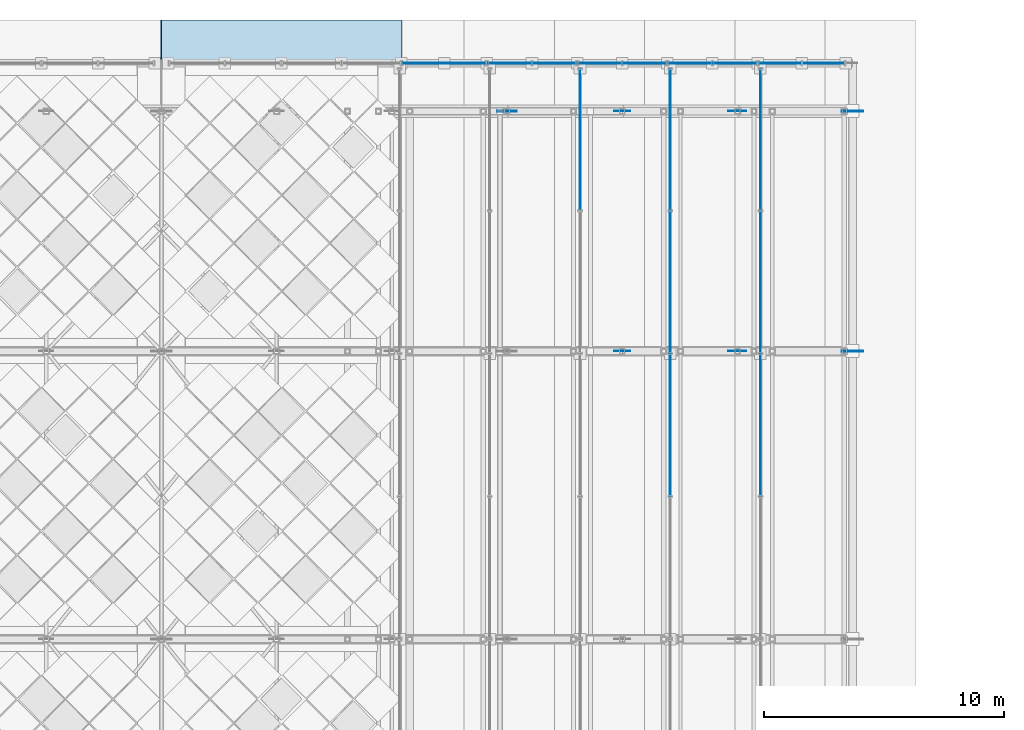
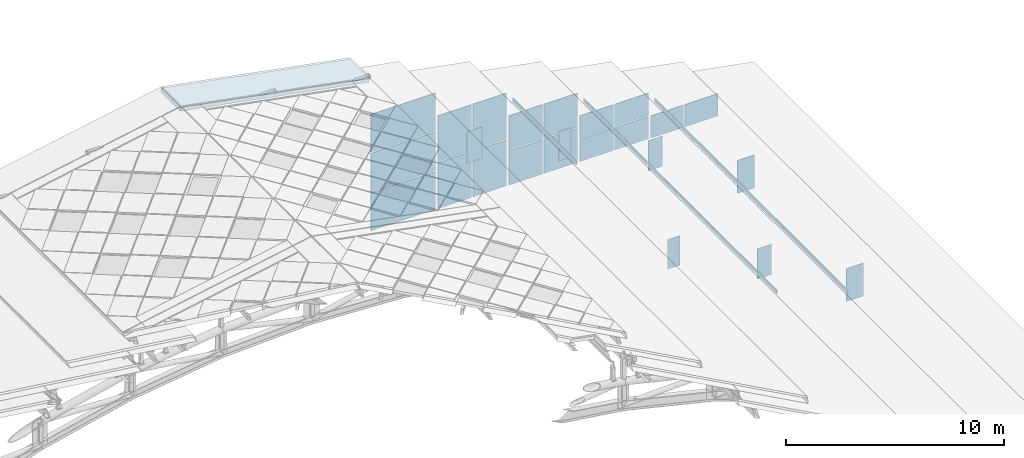
# One storey, part 99 of 117: 31 plates, 1 slab, 8 elements without a shape of their own.
"""IFC4 building model written with IfcOpenShell, lengths in metres."""

from ifc_helpers import new_model, si_unit, direction, frame, origin, origin_2d, place, context, subcontext, project, spatial, polyline, rectangle, outline, extrude, material, layer, layer_set, type_object, element, aggregate, save


model = new_model("IFC4")

# Units and contexts
model_context = context("Model", 3, precision=1e-05, world=origin(), true_north=direction((0.0, 1.0)))
body_context = subcontext(model_context, "Body", "Model", "MODEL_VIEW")
ifc_project = project(units=[si_unit("LENGTHUNIT", "METRE"), si_unit("AREAUNIT", "SQUARE_METRE"), si_unit("VOLUMEUNIT", "CUBIC_METRE"), si_unit("PLANEANGLEUNIT", "RADIAN"), si_unit("MASSUNIT", "GRAM", prefix="KILO")], contexts=[model_context])

# Site, building, storey
site_placement = place(None, origin())
site = spatial("IfcSite", under=ifc_project, at=site_placement, CompositionType="ELEMENT")
building_placement = place(site_placement, origin())
building = spatial("IfcBuilding", under=site, at=building_placement, Name="Merenkruunu Market Hall", CompositionType="ELEMENT")
storey_placement = place(building_placement, frame((0.0, 0.0, 22.800048828125)))
storey = spatial("IfcBuildingStorey", under=building, at=storey_placement, Name="RF", CompositionType="ELEMENT", Elevation=22.800048828125)

# Curtain wall, plates
ifc_material_1 = material(Name="Powder-coated aluminium", Category="aluminium")
curtain_wall_type_1 = type_object("IfcCurtainWallType", Name="Glazed Curtain Wall CW18", PredefinedType="USERDEFINED", material=ifc_material_1)
curtain_wall_1_placement = place(storey_placement, origin())
curtain_wall_1 = element("IfcCurtainWall", 1, at=curtain_wall_1_placement, inside=storey, type_object=curtain_wall_type_1, Name="CW-RF-CWM03-076", ObjectType="GLAZED_FACADE", PredefinedType="USERDEFINED")
ifc_material_2 = material(Name="Triple low-E insulated glass", Category="glass")
ifc_layer_1 = layer(ifc_material_2, 0.035888671875)
ifc_layer_set_1 = layer_set([ifc_layer_1], Name="Triple low-E insulated glass")
plate_type_1 = type_object("IfcPlateType", Name="Curtain Wall Glazing Panel CWP05", PredefinedType="CURTAIN_PANEL", material=ifc_layer_set_1)
plate_1_placement = place(storey_placement, frame((40.580078125, 111.60009765625, -8.630126953125), z_axis=(0.0, 0.0, 1.0), x_axis=(1.0, 0.0, 0.0)))
plate_1 = element("IfcPlate", 2, at=plate_1_placement, type_object=plate_type_1, Name="CW18 panel 1.1", PredefinedType="CURTAIN_PANEL", context=body_context, shape_type="SweptSolid", body=[
    extrude(rectangle(XDim=3.43994140625, YDim=0.035888671875, at=origin_2d()), origin(), (0.0, 0.0, 1.0), 2.126953125),
])
plate_2_placement = place(storey_placement, frame((40.580078125, 111.60009765625, -6.44287109375), z_axis=(0.0, 0.0, 1.0), x_axis=(1.0, 0.0, 0.0)))
plate_2 = element("IfcPlate", 3, at=plate_2_placement, type_object=plate_type_1, Name="CW18 panel 1.2", PredefinedType="CURTAIN_PANEL", context=body_context, shape_type="SweptSolid", body=[
    extrude(rectangle(XDim=3.43994140625, YDim=0.035888671875, at=origin_2d()), origin(), (0.0, 0.0, 1.0), 2.156005859375),
])
plate_3_placement = place(storey_placement, frame((40.580078125, 111.60009765625, -4.22705078125), z_axis=(0.0, 0.0, 1.0), x_axis=(1.0, 0.0, 0.0)))
plate_3 = element("IfcPlate", 4, at=plate_3_placement, type_object=plate_type_1, Name="CW18 panel 1.3", PredefinedType="CURTAIN_PANEL", context=body_context, shape_type="SweptSolid", body=[
    extrude(rectangle(XDim=3.43994140625, YDim=0.035888671875, at=origin_2d()), origin(), (0.0, 0.0, 1.0), 2.126953125),
])
aggregate(curtain_wall_1, [plate_1, plate_2, plate_3])

curtain_wall_type_2 = type_object("IfcCurtainWallType", Name="Glazed Curtain Wall CW17", PredefinedType="USERDEFINED", material=ifc_material_1)
curtain_wall_2_placement = place(storey_placement, origin())
curtain_wall_2 = element("IfcCurtainWall", 5, at=curtain_wall_2_placement, inside=storey, type_object=curtain_wall_type_2, Name="CW-RF-CWM03-077", ObjectType="GLAZED_FACADE", PredefinedType="USERDEFINED")
plate_4_placement = place(storey_placement, frame((43.31494140625, 111.60009765625, -8.6298828125), z_axis=(0.0, 0.0, 1.0), x_axis=(1.0, 0.0, 0.0)))
plate_4 = element("IfcPlate", 6, at=plate_4_placement, type_object=plate_type_1, Name="CW17 panel 1.1", PredefinedType="CURTAIN_PANEL", context=body_context, shape_type="SweptSolid", body=[
    extrude(rectangle(XDim=1.7900390625, YDim=0.035888671875, at=origin_2d()), origin(), (0.0, 0.0, 1.0), 2.574951171875),
])
plate_5_placement = place(storey_placement, frame((43.31494140625, 111.60009765625, -5.9951171875), z_axis=(0.0, 0.0, 1.0), x_axis=(1.0, 0.0, 0.0)))
plate_5 = element("IfcPlate", 7, at=plate_5_placement, type_object=plate_type_1, Name="CW17 panel 1.2", PredefinedType="CURTAIN_PANEL", context=body_context, shape_type="SweptSolid", body=[
    extrude(rectangle(XDim=1.7900390625, YDim=0.035888671875, at=origin_2d()), origin(), (0.0, 0.0, 1.0), 2.574951171875),
])
plate_6_placement = place(storey_placement, frame((45.1650390625, 111.60009765625, -8.6298828125), z_axis=(0.0, 0.0, 1.0), x_axis=(1.0, 0.0, 0.0)))
plate_6 = element("IfcPlate", 8, at=plate_6_placement, type_object=plate_type_1, Name="CW17 panel 2.1", PredefinedType="CURTAIN_PANEL", context=body_context, shape_type="SweptSolid", body=[
    extrude(rectangle(XDim=1.7900390625, YDim=0.035888671875, at=origin_2d()), origin(), (0.0, 0.0, 1.0), 2.574951171875),
])
plate_7_placement = place(storey_placement, frame((45.1650390625, 111.60009765625, -5.9951171875), z_axis=(0.0, 0.0, 1.0), x_axis=(1.0, 0.0, 0.0)))
plate_7 = element("IfcPlate", 9, at=plate_7_placement, type_object=plate_type_1, Name="CW17 panel 2.2", PredefinedType="CURTAIN_PANEL", context=body_context, shape_type="SweptSolid", body=[
    extrude(rectangle(XDim=1.7900390625, YDim=0.035888671875, at=origin_2d()), origin(), (0.0, 0.0, 1.0), 2.574951171875),
])
aggregate(curtain_wall_2, [plate_4, plate_5, plate_6, plate_7])

curtain_wall_3_placement = place(storey_placement, origin())
curtain_wall_3 = element("IfcCurtainWall", 10, at=curtain_wall_3_placement, inside=storey, type_object=curtain_wall_type_2, Name="CW-RF-CWM03-078", ObjectType="GLAZED_FACADE", PredefinedType="USERDEFINED")
plate_8_placement = place(storey_placement, frame((47.074951171875, 111.60009765625, -8.630126953125), z_axis=(0.0, 0.0, 1.0), x_axis=(1.0, 0.0, 0.0)))
plate_8 = element("IfcPlate", 11, at=plate_8_placement, type_object=plate_type_1, Name="CW17 panel 1.1", PredefinedType="CURTAIN_PANEL", context=body_context, shape_type="SweptSolid", body=[
    extrude(rectangle(XDim=1.7900390625, YDim=0.035888671875, at=origin_2d()), origin(), (0.0, 0.0, 1.0), 1.9150390625),
])
plate_9_placement = place(storey_placement, frame((47.074951171875, 111.60009765625, -6.655029296875), z_axis=(0.0, 0.0, 1.0), x_axis=(1.0, 0.0, 0.0)))
plate_9 = element("IfcPlate", 12, at=plate_9_placement, type_object=plate_type_1, Name="CW17 panel 1.2", PredefinedType="CURTAIN_PANEL", context=body_context, shape_type="SweptSolid", body=[
    extrude(rectangle(XDim=1.7900390625, YDim=0.035888671875, at=origin_2d()), origin(), (0.0, 0.0, 1.0), 1.9150390625),
])
plate_10_placement = place(storey_placement, frame((48.925048828125, 111.60009765625, -8.630126953125), z_axis=(0.0, 0.0, 1.0), x_axis=(1.0, 0.0, 0.0)))
plate_10 = element("IfcPlate", 13, at=plate_10_placement, type_object=plate_type_1, Name="CW17 panel 2.1", PredefinedType="CURTAIN_PANEL", context=body_context, shape_type="SweptSolid", body=[
    extrude(rectangle(XDim=1.7900390625, YDim=0.035888671875, at=origin_2d()), origin(), (0.0, 0.0, 1.0), 1.9150390625),
])
plate_11_placement = place(storey_placement, frame((48.925048828125, 111.60009765625, -6.655029296875), z_axis=(0.0, 0.0, 1.0), x_axis=(1.0, 0.0, 0.0)))
plate_11 = element("IfcPlate", 14, at=plate_11_placement, type_object=plate_type_1, Name="CW17 panel 2.2", PredefinedType="CURTAIN_PANEL", context=body_context, shape_type="SweptSolid", body=[
    extrude(rectangle(XDim=1.7900390625, YDim=0.035888671875, at=origin_2d()), origin(), (0.0, 0.0, 1.0), 1.9150390625),
])
aggregate(curtain_wall_3, [plate_8, plate_9, plate_10, plate_11])

curtain_wall_4_placement = place(storey_placement, origin())
curtain_wall_4 = element("IfcCurtainWall", 15, at=curtain_wall_4_placement, inside=storey, type_object=curtain_wall_type_2, Name="CW-RF-CWM03-079", ObjectType="GLAZED_FACADE", PredefinedType="USERDEFINED")
plate_12_placement = place(storey_placement, frame((50.8349609375, 111.60009765625, -8.6298828125), z_axis=(0.0, 0.0, 1.0), x_axis=(1.0, 0.0, 0.0)))
plate_12 = element("IfcPlate", 16, at=plate_12_placement, type_object=plate_type_1, Name="CW17 panel 1.1", PredefinedType="CURTAIN_PANEL", context=body_context, shape_type="SweptSolid", body=[
    extrude(rectangle(XDim=1.7900390625, YDim=0.035888671875, at=origin_2d()), origin(), (0.0, 0.0, 1.0), 1.2548828125),
])
plate_13_placement = place(storey_placement, frame((50.8349609375, 111.60009765625, -7.31494140625), z_axis=(0.0, 0.0, 1.0), x_axis=(1.0, 0.0, 0.0)))
plate_13 = element("IfcPlate", 17, at=plate_13_placement, type_object=plate_type_1, Name="CW17 panel 1.2", PredefinedType="CURTAIN_PANEL", context=body_context, shape_type="SweptSolid", body=[
    extrude(rectangle(XDim=1.7900390625, YDim=0.035888671875, at=origin_2d()), origin(), (0.0, 0.0, 1.0), 1.2548828125),
])
plate_14_placement = place(storey_placement, frame((52.68505859375, 111.60009765625, -8.6298828125), z_axis=(0.0, 0.0, 1.0), x_axis=(1.0, 0.0, 0.0)))
plate_14 = element("IfcPlate", 18, at=plate_14_placement, type_object=plate_type_1, Name="CW17 panel 2.1", PredefinedType="CURTAIN_PANEL", context=body_context, shape_type="SweptSolid", body=[
    extrude(rectangle(XDim=1.7900390625, YDim=0.035888671875, at=origin_2d()), origin(), (0.0, 0.0, 1.0), 1.2548828125),
])
plate_15_placement = place(storey_placement, frame((52.68505859375, 111.60009765625, -7.31494140625), z_axis=(0.0, 0.0, 1.0), x_axis=(1.0, 0.0, 0.0)))
plate_15 = element("IfcPlate", 19, at=plate_15_placement, type_object=plate_type_1, Name="CW17 panel 2.2", PredefinedType="CURTAIN_PANEL", context=body_context, shape_type="SweptSolid", body=[
    extrude(rectangle(XDim=1.7900390625, YDim=0.035888671875, at=origin_2d()), origin(), (0.0, 0.0, 1.0), 1.2548828125),
])
aggregate(curtain_wall_4, [plate_12, plate_13, plate_14, plate_15])

curtain_wall_type_3 = type_object("IfcCurtainWallType", Name="Clerestory Curtain Band CL03", PredefinedType="USERDEFINED", material=ifc_material_1)
curtain_wall_5_placement = place(storey_placement, origin())
curtain_wall_5 = element("IfcCurtainWall", 20, at=curtain_wall_5_placement, inside=storey, type_object=curtain_wall_type_3, Name="CW-RF-CWM03-080", ObjectType="CLERESTORY_BAND", PredefinedType="USERDEFINED")
plate_16_placement = place(storey_placement, frame((54.574951171875, 111.60009765625, -8.630126953125), z_axis=(0.0, 0.0, 1.0), x_axis=(1.0, 0.0, 0.0)))
plate_16 = element("IfcPlate", 21, at=plate_16_placement, type_object=plate_type_1, Name="CL03 panel 1.1", PredefinedType="CURTAIN_PANEL", context=body_context, shape_type="SweptSolid", body=[
    extrude(rectangle(XDim=1.75, YDim=0.035888671875, at=origin_2d()), origin(), (0.0, 0.0, 1.0), 1.25),
])
plate_17_placement = place(storey_placement, frame((56.385009765625, 111.60009765625, -8.630126953125), z_axis=(0.0, 0.0, 1.0), x_axis=(1.0, 0.0, 0.0)))
plate_17 = element("IfcPlate", 22, at=plate_17_placement, type_object=plate_type_1, Name="CL03 panel 2.1", PredefinedType="CURTAIN_PANEL", context=body_context, shape_type="SweptSolid", body=[
    extrude(rectangle(XDim=1.75, YDim=0.035888671875, at=origin_2d()), origin(), (0.0, 0.0, 1.0), 1.25),
])
aggregate(curtain_wall_5, [plate_16, plate_17])

curtain_wall_type_4 = type_object("IfcCurtainWallType", Name="Clerestory Curtain Band CL05", PredefinedType="USERDEFINED", material=ifc_material_1)
curtain_wall_6_placement = place(storey_placement, origin())
curtain_wall_6 = element("IfcCurtainWall", 23, at=curtain_wall_6_placement, inside=storey, type_object=curtain_wall_type_4, Name="CW-RF-CWM04-088", ObjectType="CLERESTORY_BAND", PredefinedType="USERDEFINED")
ifc_layer_2 = layer(ifc_material_2, 0.035888671875)
ifc_layer_set_2 = layer_set([ifc_layer_2], Name="Triple low-E insulated glass")
plate_type_2 = type_object("IfcPlateType", Name="Curtain Wall Glazing Panel CWP08", PredefinedType="CURTAIN_PANEL", material=ifc_layer_set_2)
plate_18_placement = place(storey_placement, frame((53.760009765625, 108.407470703125, -6.462158203125), z_axis=(0.0, 0.0, 1.0), x_axis=(0.0, -1.0, 0.0)))
plate_18 = element("IfcPlate", 24, at=plate_18_placement, type_object=plate_type_2, Name="CL05 panel 1.1", PredefinedType="CURTAIN_PANEL", context=body_context, shape_type="SweptSolid", body=[
    extrude(rectangle(XDim=5.844970703125, YDim=0.035888671875, at=origin_2d()), origin(), (0.0, 0.0, 1.0), 0.22802734375),
])
plate_19_placement = place(storey_placement, frame((53.760009765625, 102.47509765625, -6.462158203125), z_axis=(0.0, 0.0, 1.0), x_axis=(0.0, -1.0, 0.0)))
plate_19 = element("IfcPlate", 25, at=plate_19_placement, type_object=plate_type_2, Name="CL05 panel 2.1", PredefinedType="CURTAIN_PANEL", context=body_context, shape_type="SweptSolid", body=[
    extrude(rectangle(XDim=5.8798828125, YDim=0.035888671875, at=origin_2d()), origin(), (0.0, 0.0, 1.0), 0.22802734375),
])
plate_20_placement = place(storey_placement, frame((53.760009765625, 96.52490234375, -6.462158203125), z_axis=(0.0, 0.0, 1.0), x_axis=(0.0, -1.0, 0.0)))
plate_20 = element("IfcPlate", 26, at=plate_20_placement, type_object=plate_type_2, Name="CL05 panel 3.1", PredefinedType="CURTAIN_PANEL", context=body_context, shape_type="SweptSolid", body=[
    extrude(rectangle(XDim=5.8798828125, YDim=0.035888671875, at=origin_2d()), origin(), (0.0, 0.0, 1.0), 0.22802734375),
])
aggregate(curtain_wall_6, [plate_18, plate_19, plate_20])

curtain_wall_7_placement = place(storey_placement, origin())
curtain_wall_7 = element("IfcCurtainWall", 27, at=curtain_wall_7_placement, inside=storey, type_object=curtain_wall_type_4, Name="CW-RF-CWM04-096", ObjectType="CLERESTORY_BAND", PredefinedType="USERDEFINED")
plate_21_placement = place(storey_placement, frame((50.0, 108.407470703125, -5.14208984375), z_axis=(0.0, 0.0, 1.0), x_axis=(0.0, -1.0, 0.0)))
plate_21 = element("IfcPlate", 28, at=plate_21_placement, type_object=plate_type_2, Name="CL05 panel 1.1", PredefinedType="CURTAIN_PANEL", context=body_context, shape_type="SweptSolid", body=[
    extrude(rectangle(XDim=5.844970703125, YDim=0.035888671875, at=origin_2d()), origin(), (0.0, 0.0, 1.0), 0.20703125),
])
plate_22_placement = place(storey_placement, frame((50.0, 102.47509765625, -5.14208984375), z_axis=(0.0, 0.0, 1.0), x_axis=(0.0, -1.0, 0.0)))
plate_22 = element("IfcPlate", 29, at=plate_22_placement, type_object=plate_type_2, Name="CL05 panel 2.1", PredefinedType="CURTAIN_PANEL", context=body_context, shape_type="SweptSolid", body=[
    extrude(rectangle(XDim=5.8798828125, YDim=0.035888671875, at=origin_2d()), origin(), (0.0, 0.0, 1.0), 0.20703125),
])
plate_23_placement = place(storey_placement, frame((50.0, 96.52490234375, -5.14208984375), z_axis=(0.0, 0.0, 1.0), x_axis=(0.0, -1.0, 0.0)))
plate_23 = element("IfcPlate", 30, at=plate_23_placement, type_object=plate_type_2, Name="CL05 panel 3.1", PredefinedType="CURTAIN_PANEL", context=body_context, shape_type="SweptSolid", body=[
    extrude(rectangle(XDim=5.8798828125, YDim=0.035888671875, at=origin_2d()), origin(), (0.0, 0.0, 1.0), 0.20703125),
])
aggregate(curtain_wall_7, [plate_21, plate_22, plate_23])

# Curtain wall, plate
curtain_wall_8_placement = place(storey_placement, origin())
curtain_wall_8 = element("IfcCurtainWall", 31, at=curtain_wall_8_placement, inside=storey, type_object=curtain_wall_type_4, Name="CW-RF-CWM04-104", ObjectType="CLERESTORY_BAND", PredefinedType="USERDEFINED")
plate_24_placement = place(storey_placement, frame((46.239990234375, 108.407470703125, -3.822021484375), z_axis=(0.0, 0.0, 1.0), x_axis=(0.0, -1.0, 0.0)))
plate_24 = element("IfcPlate", 32, at=plate_24_placement, type_object=plate_type_2, Name="CL05 panel 1.1", PredefinedType="CURTAIN_PANEL", context=body_context, shape_type="SweptSolid", body=[
    extrude(rectangle(XDim=5.844970703125, YDim=0.035888671875, at=origin_2d()), origin(), (0.0, 0.0, 1.0), 0.22802734375),
])
aggregate(curtain_wall_8, [plate_24])

# Slab
ifc_material_3 = material(Name="High-albedo white roof Steel S355ML", Category="steel")
ifc_layer_3 = layer(ifc_material_3, 0.199951171875)
ifc_layer_set_3 = layer_set([ifc_layer_3], Name="High-albedo white roof Steel S355ML")
slab_type = type_object("IfcSlabType", Name="Sloped Or Flat Roof Deck RS01", PredefinedType="ROOF", material=ifc_layer_set_3)
slab_placement = place(storey_placement, frame((28.800048828125, 111.60009765625, 1.800048828125), z_axis=(0.184775267092, 0.0, 0.98278079991), x_axis=(0.98278079991, 0.0, -0.184775267092)))
element("IfcSlab", 33, at=slab_placement, inside=storey, type_object=slab_type, Name="SL-ROOF-V1-CROWNGAB-E-N", PredefinedType="ROOF", context=body_context, shape_type="SweptSolid", body=[
    extrude(outline(polyline([(0.0, 0.0), (10.175208959027184, 0.0), (10.175208959027184, 1.7998046875), (0.0, 1.7998046875), (0.0, 0.0)])), origin(), (0.0, 0.0, -1.0), 0.199951171875),
])

# Plates
ifc_material_4 = material(Name="Steel S355ML", Category="steel")
ifc_layer_4 = layer(ifc_material_4, 0.030029296875)
ifc_layer_set_4 = layer_set([ifc_layer_4], Name="Steel S355ML")
plate_type_3 = type_object("IfcPlateType", Name="Truss Gusset Or Cap Plate TN01", PredefinedType="USERDEFINED", material=ifc_layer_set_4)
for number, where, z_axis, x_axis, name in (
    (34, (57.60009765625, 99.60009765625, -11.72509765625), (0.0, 0.0, 1.0), (1.0, 0.0, 0.0), "PLT-AT-8-NODE-12"),
    (35, (57.60009765625, 109.60009765625, -11.72509765625), (0.0, 0.0, 1.0), (1.0, 0.0, 0.0), "PLT-AT-G-NODE-12"),
):
    element("IfcPlate", number, at=place(storey_placement, frame(where, z_axis=z_axis, x_axis=x_axis)), inside=storey, type_object=plate_type_3, Name=name, ObjectType="GUSSET_PLATE", PredefinedType="USERDEFINED", context=body_context, shape_type="SweptSolid", body=[
        extrude(rectangle(XDim=0.89990234375, YDim=0.030029296875, at=origin_2d()), origin(), (0.0, 0.0, 1.0), 1.85009765625),
    ])
ifc_layer_5 = layer(ifc_material_4, 0.02490234375)
ifc_layer_set_5 = layer_set([ifc_layer_5], Name="Steel S355ML")
plate_type_4 = type_object("IfcPlateType", Name="Truss Gusset Or Cap Plate TN02", PredefinedType="USERDEFINED", material=ifc_layer_set_5)
for number, where, z_axis, x_axis, name in (
    (36, (52.800048828125, 99.60009765625, -8.81591796875), (0.0, 0.0, 1.0), (1.0, 0.0, 0.0), "PLT-AT-8-NODE-11"),
    (37, (52.800048828125, 109.60009765625, -8.81591796875), (0.0, 0.0, 1.0), (1.0, 0.0, 0.0), "PLT-AT-G-NODE-11"),
):
    element("IfcPlate", number, at=place(storey_placement, frame(where, z_axis=z_axis, x_axis=x_axis)), inside=storey, type_object=plate_type_4, Name=name, ObjectType="GUSSET_PLATE", PredefinedType="USERDEFINED", context=body_context, shape_type="SweptSolid", body=[
        extrude(rectangle(XDim=0.75, YDim=0.02490234375, at=origin_2d()), origin(), (0.0, 0.0, 1.0), 1.699951171875),
    ])
ifc_layer_6 = layer(ifc_material_4, 0.02490234375)
ifc_layer_set_6 = layer_set([ifc_layer_6], Name="Steel S355ML")
plate_type_5 = type_object("IfcPlateType", Name="Truss Gusset Or Cap Plate TN03", PredefinedType="USERDEFINED", material=ifc_layer_set_6)
for number, where, z_axis, x_axis, name in (
    (38, (48.0, 99.60009765625, -6.595947265625), (0.0, 0.0, 1.0), (1.0, 0.0, 0.0), "PLT-AT-8-NODE-10"),
    (39, (48.0, 109.60009765625, -6.595947265625), (0.0, 0.0, 1.0), (1.0, 0.0, 0.0), "PLT-AT-G-NODE-10"),
):
    element("IfcPlate", number, at=place(storey_placement, frame(where, z_axis=z_axis, x_axis=x_axis)), inside=storey, type_object=plate_type_5, Name=name, ObjectType="GUSSET_PLATE", PredefinedType="USERDEFINED", context=body_context, shape_type="SweptSolid", body=[
        extrude(rectangle(XDim=0.64990234375, YDim=0.02490234375, at=origin_2d()), origin(), (0.0, 0.0, 1.0), 1.64990234375),
    ])
ifc_layer_7 = layer(ifc_material_4, 0.028076171875)
ifc_layer_set_7 = layer_set([ifc_layer_7], Name="Steel S355ML")
plate_type_6 = type_object("IfcPlateType", Name="Truss Gusset Or Cap Plate TN04", PredefinedType="USERDEFINED", material=ifc_layer_set_7)
plate_25_placement = place(storey_placement, frame((43.199951171875, 109.60009765625, -5.005126953125), z_axis=(0.0, 0.0, 1.0), x_axis=(1.0, 0.0, 0.0)))
element("IfcPlate", 40, at=plate_25_placement, inside=storey, type_object=plate_type_6, Name="PLT-AT-G-NODE-09", ObjectType="GUSSET_PLATE", PredefinedType="USERDEFINED", context=body_context, shape_type="SweptSolid", body=[
    extrude(rectangle(XDim=0.800048828125, YDim=0.028076171875, at=origin_2d()), origin(), (0.0, 0.0, 1.0), 1.75),
])

save(model, "model.ifc")
